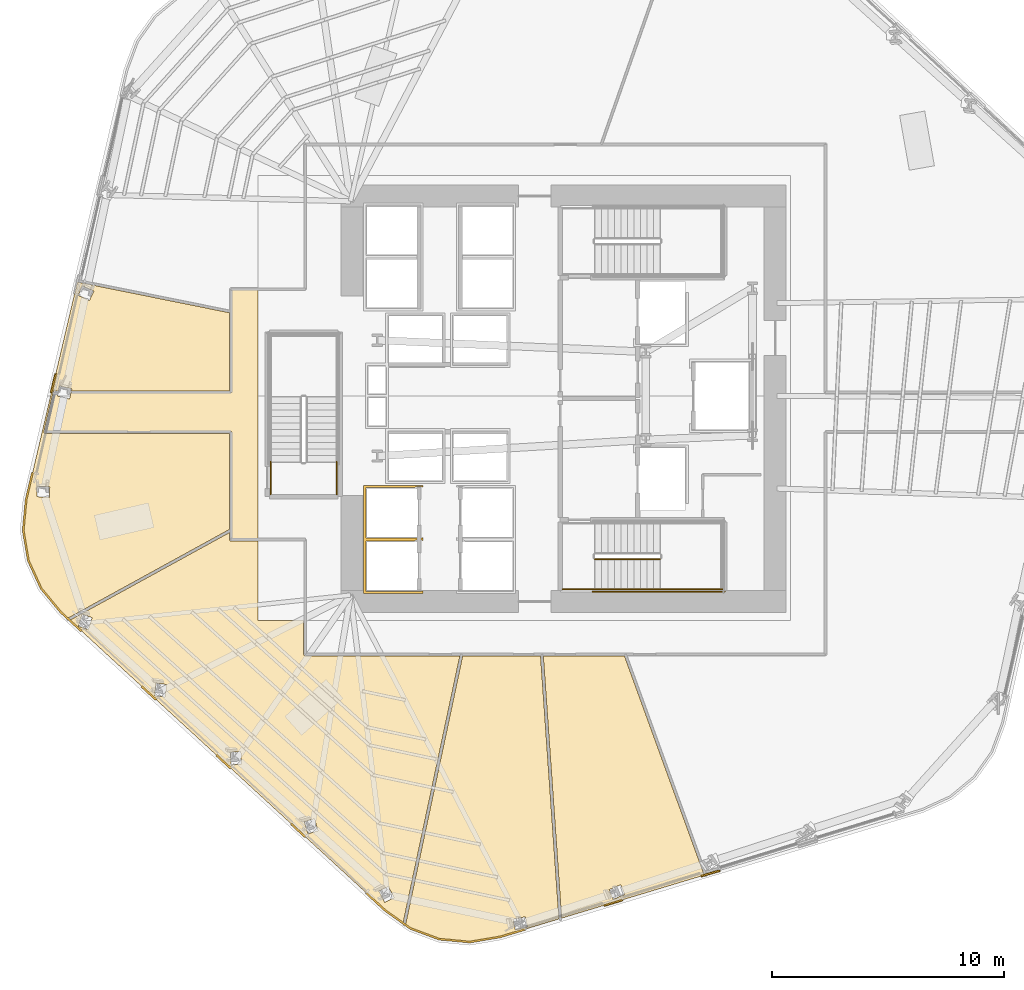
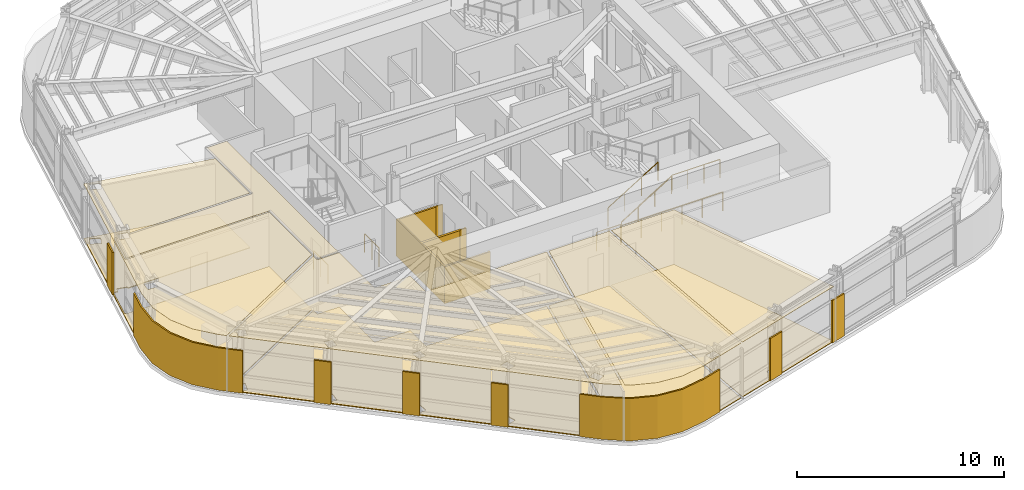
# One storey, part 11 of 16: 18 coverings, 7 railings.
"""IFC4 building model written with IfcOpenShell, lengths in metres."""

from ifc_helpers import new_model, si_unit, direction, frame, origin, origin_2d, place, context, subcontext, project, spatial, polyline, circle, outline, extrude, material, layer, layer_set, type_object, element, save


model = new_model("IFC4")

# Units and contexts
model_context = context("Model", 3, precision=1e-05, world=origin(), true_north=direction((0.0, 1.0)))
body_context = subcontext(model_context, "Body", "Model", "MODEL_VIEW")
ifc_project = project(units=[si_unit("LENGTHUNIT", "METRE"), si_unit("AREAUNIT", "SQUARE_METRE"), si_unit("VOLUMEUNIT", "CUBIC_METRE"), si_unit("PLANEANGLEUNIT", "RADIAN"), si_unit("MASSUNIT", "GRAM", prefix="KILO")], contexts=[model_context])

# Site, building, storey
site_placement = place(None, origin())
site = spatial("IfcSite", under=ifc_project, at=site_placement, CompositionType="ELEMENT")
building_placement = place(site_placement, origin())
building = spatial("IfcBuilding", under=site, at=building_placement, Name="Valkerne Bourse Tower", CompositionType="ELEMENT")
storey_placement = place(building_placement, frame((0.0, 0.0, 97.199951171875)))
storey = spatial("IfcBuildingStorey", under=building, at=storey_placement, Name="L24", CompositionType="ELEMENT", Elevation=97.199951171875)

# Coverings
ifc_material_1 = material(Name="Mineral Fiber Acoustic Ceiling Tile", Category="acoustic")
ifc_layer_1 = layer(ifc_material_1, 0.02490234375)
ifc_layer_set_1 = layer_set([ifc_layer_1], Name="Mineral Fiber Acoustic Ceiling Tile")
covering_type_1 = type_object("IfcCoveringType", Name="COV-CEIL-ACT", PredefinedType="CEILING", material=ifc_layer_set_1)
covering_1_placement = place(storey_placement, frame((0.0, 0.0, 3.22998046875)))
element("IfcCovering", 1, at=covering_1_placement, inside=storey, type_object=covering_type_1, Name="L24 Suspended Ceiling 03", PredefinedType="CEILING", context=body_context, shape_type="SweptSolid", body=[
    extrude(outline(polyline([(49.4208984375, 15.781005859375), (52.86669921875, 6.31396484375), (46.71240234375, 4.456298828125), (45.920654296875, 15.781005859375), (49.4208984375, 15.781005859375)]), holes=[polyline([(49.435302734375, 5.482666015625), (49.260498046875, 5.897216796875), (49.25732421875, 5.89697265625), (48.76318359375, 5.687255859375), (48.937744140625, 5.272705078125), (48.94091796875, 5.273193359375), (49.435302734375, 5.482666015625)])]), origin(), (0.0, 0.0, 1.0), 0.025146484375),
])
covering_2_placement = place(storey_placement, frame((0.0, 0.0, 3.22998046875)))
element("IfcCovering", 2, at=covering_2_placement, inside=storey, type_object=covering_type_1, Name="L24 Suspended Ceiling 04", PredefinedType="CEILING", context=body_context, shape_type="SweptSolid", body=[
    extrude(outline(polyline([(41.4306640625, 3.556640625), (40.194091796875, 4.0166015625), (39.974365234375, 4.172607421875), (42.44189453125, 15.781005859375), (45.80224609375, 15.781005859375), (46.5966796875, 4.42138671875), (44.055419921875, 3.654296875), (42.744384765625, 3.4326171875), (41.4306640625, 3.556640625)]), holes=[polyline([(45.23828125, 4.076416015625), (45.14501953125, 4.516357421875), (45.1416015625, 4.5166015625), (44.616943359375, 4.40380859375), (44.71044921875, 3.963623046875), (44.7138671875, 3.96337890625), (45.23828125, 4.076416015625)])]), origin(), (0.0, 0.0, 1.0), 0.025146484375),
])
covering_3_placement = place(storey_placement, frame((0.0, 0.0, 3.22998046875)))
element("IfcCovering", 3, at=covering_3_placement, inside=storey, type_object=covering_type_1, Name="L24 Suspended Ceiling 05", PredefinedType="CEILING", context=body_context, shape_type="SweptSolid", body=[
    extrude(outline(polyline([(23.701416015625, 19.893798828125), (23.481201171875, 21.195068359375), (23.606201171875, 22.517822265625), (25.810302734375, 31.912109375), (32.381103515625, 30.586181640625), (32.381103515625, 27.218994140625), (25.5576171875, 27.218994140625), (25.5771484375, 27.29931640625), (25.577392578125, 27.302490234375), (25.053466796875, 27.4287109375), (24.99365234375, 27.1826171875), (24.992919921875, 27.186767578125), (24.951416015625, 27.217041015625), (24.81689453125, 27.21728515625), (24.782958984375, 27.197998046875), (24.765869140625, 27.166259765625), (24.364990234375, 25.44921875), (24.37060546875, 25.42236328125), (24.38671875, 25.3994140625), (24.43310546875, 25.381103515625), (32.381103515625, 25.381103515625), (32.381103515625, 21.2373046875), (25.392578125, 17.399169921875), (25.09765625, 17.67041015625), (24.25048828125, 18.694091796875), (23.701416015625, 19.893798828125)]), holes=[polyline([(24.621337890625, 23.07373046875), (24.0830078125, 23.099365234375), (24.060791015625, 22.65185546875), (24.0615234375, 22.648681640625), (24.599609375, 22.622802734375), (24.621826171875, 23.0703125), (24.621337890625, 23.07373046875)]), polyline([(26.522705078125, 31.51708984375), (26.5234375, 31.520263671875), (26.036376953125, 31.75048828125), (25.843994140625, 31.345458984375), (25.843505859375, 31.34228515625), (26.33056640625, 31.1123046875), (26.522705078125, 31.51708984375)])]), origin(), (0.0, 0.0, 1.0), 0.025146484375),
])
covering_4_placement = place(storey_placement, frame((0.0, 0.0, 3.22998046875)))
element("IfcCovering", 4, at=covering_4_placement, inside=storey, type_object=covering_type_1, Name="L24 Suspended Ceiling 06", PredefinedType="CEILING", context=body_context, shape_type="SweptSolid", body=[
    extrude(outline(polyline([(32.381103515625, 21.1025390625), (32.3818359375, 20.7890625), (32.403076171875, 20.7490234375), (32.440185546875, 20.731689453125), (33.60009765625, 20.7314453125), (33.60009765625, 17.300048828125), (35.5810546875, 17.300048828125), (35.5810546875, 15.849609375), (35.59033203125, 15.81494140625), (35.614990234375, 15.790283203125), (35.6494140625, 15.781005859375), (42.3212890625, 15.781005859375), (39.86962890625, 4.247314453125), (39.1103515625, 4.78662109375), (25.484130859375, 17.31494140625), (32.381103515625, 21.1025390625)]), holes=[polyline([(36.0458984375, 8.7421875), (36.043212890625, 8.743896484375), (35.612548828125, 8.6162109375), (35.763427734375, 8.099853515625), (35.76611328125, 8.098388671875), (36.19677734375, 8.22607421875), (36.0458984375, 8.7421875)]), polyline([(32.857666015625, 11.64697265625), (32.85546875, 11.64892578125), (32.40771484375, 11.611572265625), (32.45068359375, 11.075439453125), (32.452880859375, 11.073486328125), (32.900390625, 11.11083984375), (32.857666015625, 11.64697265625)]), polyline([(29.6611328125, 14.539794921875), (29.6591796875, 14.542236328125), (29.21337890625, 14.5966796875), (29.146240234375, 14.06298828125), (29.14794921875, 14.060546875), (29.593994140625, 14.006103515625), (29.6611328125, 14.539794921875)]), polyline([(26.450927734375, 17.427001953125), (26.44970703125, 17.43017578125), (26.02197265625, 17.567138671875), (25.85546875, 17.05615234375), (25.85693359375, 17.052978515625), (26.284423828125, 16.916015625), (26.450927734375, 17.427001953125)]), polyline([(39.2333984375, 5.82275390625), (39.23046875, 5.823974609375), (38.83154296875, 5.617431640625), (39.07666015625, 5.138916015625), (39.07958984375, 5.1376953125), (39.478515625, 5.34423828125), (39.2333984375, 5.82275390625)])]), origin(), (0.0, 0.0, 1.0), 0.025146484375),
])
ifc_material_2 = material(Name="Bronze Anodised Aluminium AA 6063-T6", Category="aluminium")
ifc_layer_2 = layer(ifc_material_2, 0.030029296875)
ifc_layer_set_2 = layer_set([ifc_layer_2], Name="Bronze Anodised Aluminium AA 6063-T6")
covering_type_2 = type_object("IfcCoveringType", Name="COV-CEIL-METAL", PredefinedType="CEILING", material=ifc_layer_set_2)
covering_5_placement = place(storey_placement, frame((0.0, 0.0, 3.22998046875)))
element("IfcCovering", 5, at=covering_5_placement, inside=storey, type_object=covering_type_2, Name="L24 Suspended Ceiling 02", PredefinedType="CEILING", context=body_context, shape_type="SweptSolid", body=[
    extrude(outline(polyline([(32.4541015625, 20.803955078125), (32.4541015625, 25.4541015625), (24.43896484375, 25.4541015625), (24.8359375, 27.14599609375), (24.984619140625, 27.14599609375), (24.947509765625, 26.9931640625), (24.947509765625, 26.989990234375), (25.47119140625, 26.86376953125), (25.539794921875, 27.14599609375), (32.4541015625, 27.14599609375), (32.4541015625, 31.595947265625), (33.60009765625, 31.595947265625), (33.60009765625, 20.803955078125), (32.4541015625, 20.803955078125)])), origin(), (0.0, 0.0, 1.0), 0.025146484375),
])
ifc_layer_3 = layer(ifc_material_2, 0.06005859375)
ifc_layer_set_3 = layer_set([ifc_layer_3], Name="Bronze Anodised Aluminium AA 6063-T6")
covering_type_3 = type_object("IfcCoveringType", Name="COV-CRN-ALUM", PredefinedType="CLADDING", material=ifc_layer_set_3)
covering_6_placement = place(storey_placement, origin())
element("IfcCovering", 6, at=covering_6_placement, inside=storey, type_object=covering_type_3, Name="L24 Wind-Shaped Corner Aluminium Cladding 03", PredefinedType="CLADDING", context=body_context, shape_type="SweptSolid", body=[
    extrude(outline(polyline([(52.74951171875, 6.232421875), (52.725830078125, 6.30908203125), (53.530029296875, 6.5517578125), (53.5537109375, 6.475341796875), (52.74951171875, 6.232421875)])), origin(), (0.0, 0.0, 1.0), 2.5),
])
covering_7_placement = place(storey_placement, origin())
element("IfcCovering", 7, at=covering_7_placement, inside=storey, type_object=covering_type_3, Name="L24 Wind-Shaped Corner Aluminium Cladding 04", PredefinedType="CLADDING", context=body_context, shape_type="SweptSolid", body=[
    extrude(outline(polyline([(48.553466796875, 4.9658203125), (48.52978515625, 5.04248046875), (49.333984375, 5.28515625), (49.357666015625, 5.208740234375), (48.553466796875, 4.9658203125)])), origin(), (0.0, 0.0, 1.0), 2.5),
])
covering_8_placement = place(storey_placement, origin())
element("IfcCovering", 8, at=covering_8_placement, inside=storey, type_object=covering_type_3, Name="L24 Wind-Shaped Corner Aluminium Cladding 05", PredefinedType="CLADDING", context=body_context, shape_type="SweptSolid", body=[
    extrude(outline(polyline([(44.065185546875, 3.611328125), (42.74609375, 3.38818359375), (41.4208984375, 3.513427734375), (40.173095703125, 3.977294921875), (39.08251953125, 4.75244140625), (38.23974609375, 5.52734375), (38.294189453125, 5.5859375), (39.133056640625, 4.814697265625), (40.2109375, 4.048828125), (41.438720703125, 3.592041015625), (42.7431640625, 3.46875), (44.047119140625, 3.689208984375), (45.137939453125, 4.0185546875), (45.16162109375, 3.942138671875), (44.065185546875, 3.611328125)])), origin(), (0.0, 0.0, 1.0), 2.5),
])
covering_9_placement = place(storey_placement, origin())
element("IfcCovering", 9, at=covering_9_placement, inside=storey, type_object=covering_type_3, Name="L24 Wind-Shaped Corner Aluminium Cladding 06", PredefinedType="CLADDING", context=body_context, shape_type="SweptSolid", body=[
    extrude(outline(polyline([(35.01318359375, 8.493896484375), (35.067626953125, 8.552490234375), (35.68603515625, 7.984130859375), (35.631591796875, 7.92529296875), (35.01318359375, 8.493896484375)])), origin(), (0.0, 0.0, 1.0), 2.5),
])
covering_10_placement = place(storey_placement, origin())
element("IfcCovering", 10, at=covering_10_placement, inside=storey, type_object=covering_type_3, Name="L24 Wind-Shaped Corner Aluminium Cladding 07", PredefinedType="CLADDING", context=body_context, shape_type="SweptSolid", body=[
    extrude(outline(polyline([(31.78662109375, 11.460693359375), (31.841064453125, 11.519287109375), (32.45947265625, 10.95068359375), (32.40478515625, 10.89208984375), (31.78662109375, 11.460693359375)])), origin(), (0.0, 0.0, 1.0), 2.5),
])
covering_11_placement = place(storey_placement, origin())
element("IfcCovering", 11, at=covering_11_placement, inside=storey, type_object=covering_type_3, Name="L24 Wind-Shaped Corner Aluminium Cladding 08", PredefinedType="CLADDING", context=body_context, shape_type="SweptSolid", body=[
    extrude(outline(polyline([(28.56005859375, 14.427001953125), (28.614501953125, 14.485595703125), (29.23291015625, 13.917236328125), (29.178466796875, 13.858642578125), (28.56005859375, 14.427001953125)])), origin(), (0.0, 0.0, 1.0), 2.5),
])
covering_12_placement = place(storey_placement, origin())
element("IfcCovering", 12, at=covering_12_placement, inside=storey, type_object=covering_type_3, Name="L24 Wind-Shaped Corner Aluminium Cladding 09", PredefinedType="CLADDING", context=body_context, shape_type="SweptSolid", body=[
    extrude(outline(polyline([(25.065673828125, 17.639892578125), (24.212890625, 18.670654296875), (23.658935546875, 19.880859375), (23.43701171875, 21.193359375), (23.562744140625, 22.52490234375), (23.837890625, 23.697021484375), (23.915771484375, 23.67919921875), (23.641845703125, 22.511962890625), (23.517578125, 21.1962890625), (23.736083984375, 19.904541015625), (24.281494140625, 18.71337890625), (25.123779296875, 17.6953125), (26.00634765625, 16.8837890625), (25.951904296875, 16.8251953125), (25.065673828125, 17.639892578125)])), origin(), (0.0, 0.0, 1.0), 2.5),
])
covering_13_placement = place(storey_placement, origin())
element("IfcCovering", 13, at=covering_13_placement, inside=storey, type_object=covering_type_3, Name="L24 Wind-Shaped Corner Aluminium Cladding 10", PredefinedType="CLADDING", context=body_context, shape_type="SweptSolid", body=[
    extrude(outline(polyline([(24.839111328125, 27.964111328125), (24.9169921875, 27.9462890625), (24.72509765625, 27.12841796875), (24.647216796875, 27.146484375), (24.839111328125, 27.964111328125)])), origin(), (0.0, 0.0, 1.0), 2.5),
])
ifc_material_3 = material(Name="Galvanised Painted Steel", Category="steel")
ifc_layer_4 = layer(ifc_material_3, 0.044921875)
ifc_layer_set_4 = layer_set([ifc_layer_4], Name="Galvanised Painted Steel")
covering_type_4 = type_object("IfcCoveringType", Name="COV-FLR-RAF", PredefinedType="FLOORING", material=ifc_layer_set_4)
covering_14_placement = place(storey_placement, origin())
element("IfcCovering", 14, at=covering_14_placement, inside=storey, type_object=covering_type_4, Name="L24 Floor Finish 05", PredefinedType="FLOORING", context=body_context, shape_type="SweptSolid", body=[
    extrude(outline(polyline([(23.701416015625, 19.893798828125), (23.481201171875, 21.195068359375), (23.606201171875, 22.517822265625), (25.810302734375, 31.912109375), (32.381103515625, 30.586181640625), (32.381103515625, 27.218994140625), (25.5576171875, 27.218994140625), (25.5771484375, 27.29931640625), (25.577392578125, 27.302490234375), (25.053466796875, 27.4287109375), (24.99365234375, 27.1826171875), (24.992919921875, 27.186767578125), (24.951416015625, 27.217041015625), (24.81689453125, 27.21728515625), (24.782958984375, 27.197998046875), (24.765869140625, 27.166259765625), (24.364990234375, 25.44921875), (24.37060546875, 25.42236328125), (24.38671875, 25.3994140625), (24.43310546875, 25.381103515625), (32.381103515625, 25.381103515625), (32.381103515625, 21.2373046875), (25.392578125, 17.399169921875), (25.09765625, 17.67041015625), (24.25048828125, 18.694091796875), (23.701416015625, 19.893798828125)]), holes=[polyline([(24.621337890625, 23.07373046875), (24.0830078125, 23.099365234375), (24.060791015625, 22.65185546875), (24.0615234375, 22.648681640625), (24.599609375, 22.622802734375), (24.621826171875, 23.0703125), (24.621337890625, 23.07373046875)]), polyline([(26.522705078125, 31.51708984375), (26.5234375, 31.520263671875), (26.036376953125, 31.75048828125), (25.843994140625, 31.345458984375), (25.843505859375, 31.34228515625), (26.33056640625, 31.1123046875), (26.522705078125, 31.51708984375)])]), origin(), (0.0, 0.0, 1.0), 0.045166015625),
])
covering_15_placement = place(storey_placement, origin())
element("IfcCovering", 15, at=covering_15_placement, inside=storey, type_object=covering_type_4, Name="L24 Floor Finish 06", PredefinedType="FLOORING", context=body_context, shape_type="SweptSolid", body=[
    extrude(outline(polyline([(32.381103515625, 21.1025390625), (32.3818359375, 20.7890625), (32.403076171875, 20.7490234375), (32.440185546875, 20.731689453125), (33.60009765625, 20.7314453125), (33.60009765625, 17.300048828125), (35.5810546875, 17.300048828125), (35.5810546875, 15.849609375), (35.59033203125, 15.81494140625), (35.614990234375, 15.790283203125), (35.6494140625, 15.781005859375), (42.3212890625, 15.781005859375), (39.86962890625, 4.247314453125), (39.1103515625, 4.78662109375), (25.484130859375, 17.31494140625), (32.381103515625, 21.1025390625)]), holes=[polyline([(36.0458984375, 8.7421875), (36.043212890625, 8.743896484375), (35.612548828125, 8.6162109375), (35.763427734375, 8.099853515625), (35.76611328125, 8.098388671875), (36.19677734375, 8.22607421875), (36.0458984375, 8.7421875)]), polyline([(32.857666015625, 11.64697265625), (32.85546875, 11.64892578125), (32.40771484375, 11.611572265625), (32.45068359375, 11.075439453125), (32.452880859375, 11.073486328125), (32.900390625, 11.11083984375), (32.857666015625, 11.64697265625)]), polyline([(29.6611328125, 14.539794921875), (29.6591796875, 14.542236328125), (29.21337890625, 14.5966796875), (29.146240234375, 14.06298828125), (29.14794921875, 14.060546875), (29.593994140625, 14.006103515625), (29.6611328125, 14.539794921875)]), polyline([(26.450927734375, 17.427001953125), (26.44970703125, 17.43017578125), (26.02197265625, 17.567138671875), (25.85546875, 17.05615234375), (25.85693359375, 17.052978515625), (26.284423828125, 16.916015625), (26.450927734375, 17.427001953125)]), polyline([(39.2333984375, 5.82275390625), (39.23046875, 5.823974609375), (38.83154296875, 5.617431640625), (39.07666015625, 5.138916015625), (39.07958984375, 5.1376953125), (39.478515625, 5.34423828125), (39.2333984375, 5.82275390625)])]), origin(), (0.0, 0.0, 1.0), 0.045166015625),
])
ifc_material_4 = material(Name="Polished Granite Stone", Category="masonry")
ifc_layer_5 = layer(ifc_material_4, 0.030029296875)
ifc_layer_set_5 = layer_set([ifc_layer_5], Name="Polished Granite Stone")
covering_type_5 = type_object("IfcCoveringType", Name="COV-FLR-TERRAZZO", PredefinedType="FLOORING", material=ifc_layer_set_5)
covering_16_placement = place(storey_placement, origin())
element("IfcCovering", 16, at=covering_16_placement, inside=storey, type_object=covering_type_5, Name="L24 Floor Finish 03", PredefinedType="FLOORING", context=body_context, shape_type="SweptSolid", body=[
    extrude(outline(polyline([(49.4208984375, 15.781005859375), (52.86669921875, 6.31396484375), (46.71240234375, 4.456298828125), (45.920654296875, 15.781005859375), (49.4208984375, 15.781005859375)]), holes=[polyline([(49.435302734375, 5.482666015625), (49.260498046875, 5.897216796875), (49.25732421875, 5.89697265625), (48.76318359375, 5.687255859375), (48.937744140625, 5.272705078125), (48.94091796875, 5.273193359375), (49.435302734375, 5.482666015625)])]), origin(), (0.0, 0.0, 1.0), 0.030029296875),
])
covering_17_placement = place(storey_placement, origin())
element("IfcCovering", 17, at=covering_17_placement, inside=storey, type_object=covering_type_5, Name="L24 Floor Finish 04", PredefinedType="FLOORING", context=body_context, shape_type="SweptSolid", body=[
    extrude(outline(polyline([(41.4306640625, 3.556640625), (40.194091796875, 4.0166015625), (39.974365234375, 4.172607421875), (42.44189453125, 15.781005859375), (45.80224609375, 15.781005859375), (46.5966796875, 4.42138671875), (44.055419921875, 3.654296875), (42.744384765625, 3.4326171875), (41.4306640625, 3.556640625)]), holes=[polyline([(45.23828125, 4.076416015625), (45.14501953125, 4.516357421875), (45.1416015625, 4.5166015625), (44.616943359375, 4.40380859375), (44.71044921875, 3.963623046875), (44.7138671875, 3.96337890625), (45.23828125, 4.076416015625)])]), origin(), (0.0, 0.0, 1.0), 0.030029296875),
])
ifc_material_5 = material(Name="Gypsum Shaftwall Liner Board", Category="gypsum")
ifc_layer_6 = layer(ifc_material_5, 0.080078125)
ifc_layer_set_6 = layer_set([ifc_layer_6], Name="Gypsum Shaftwall Liner Board")
covering_type_6 = type_object("IfcCoveringType", Name="COV-SHF-CLAD", PredefinedType="CLADDING", material=ifc_layer_set_6)
covering_18_placement = place(storey_placement, origin())
element("IfcCovering", 18, at=covering_18_placement, inside=storey, type_object=covering_type_6, Name="L24 Hoistway & Riser Shaftwall Liner 01", PredefinedType="CLADDING", context=body_context, shape_type="SweptSolid", body=[
    extrude(outline(polyline([(38.169921875, 23.1298828125), (40.72998046875, 23.1298828125), (40.72998046875, 23.052001953125), (40.72216796875, 23.0556640625), (40.6806640625, 23.070556640625), (40.6376953125, 23.081298828125), (40.593994140625, 23.087890625), (40.550048828125, 23.090087890625), (40.505859375, 23.087890625), (40.462158203125, 23.081298828125), (40.41943359375, 23.070556640625), (40.377685546875, 23.0556640625), (40.344482421875, 23.0400390625), (38.260009765625, 23.0400390625), (38.260009765625, 20.860107421875), (40.456787109375, 20.860107421875), (40.462158203125, 20.858642578125), (40.505859375, 20.852294921875), (40.550048828125, 20.85009765625), (40.593994140625, 20.852294921875), (40.6376953125, 20.858642578125), (40.6806640625, 20.869384765625), (40.72216796875, 20.88427734375), (40.72998046875, 20.887939453125), (40.72998046875, 20.830078125), (40.72998046875, 20.77001953125), (40.72998046875, 20.752197265625), (40.72216796875, 20.755615234375), (40.6806640625, 20.7705078125), (40.6376953125, 20.781494140625), (40.593994140625, 20.787841796875), (40.550048828125, 20.7900390625), (40.505859375, 20.787841796875), (40.462158203125, 20.781494140625), (40.41943359375, 20.7705078125), (40.377685546875, 20.755615234375), (40.344482421875, 20.739990234375), (38.260009765625, 20.739990234375), (38.260009765625, 18.56005859375), (40.456787109375, 18.56005859375), (40.462158203125, 18.55859375), (40.505859375, 18.55224609375), (40.550048828125, 18.550048828125), (40.593994140625, 18.55224609375), (40.6376953125, 18.55859375), (40.6806640625, 18.5693359375), (40.72216796875, 18.584228515625), (40.72998046875, 18.587890625), (40.72998046875, 18.469970703125), (38.169921875, 18.469970703125), (38.169921875, 20.77001953125), (38.169921875, 20.830078125), (38.169921875, 23.1298828125)])), origin(), (0.0, 0.0, 1.0), 2.179931640625),
])

# Railings
railing_type_1 = type_object("IfcRailingType", Name="RLG-ST-GUARD-1120", PredefinedType="GUARDRAIL", material=ifc_material_3)
railing_1_placement = place(storey_placement, frame((48.14990234375, 19.949951171875, 0.1728515625)))
element("IfcRailing", 19, at=railing_1_placement, inside=storey, type_object=railing_type_1, Name="L24 ST-1 stair guard 1", PredefinedType="GUARDRAIL", context=body_context, shape_type="SweptSolid", body=[
    extrude(circle(Radius=0.02392578125, at=origin_2d()), frame((0.0, 0.0, 1.09619140625), z_axis=(0.851089632645, 0.0, 0.525020415988), x_axis=(0.0, 1.0, 0.0)), (0.0, 0.0, 1.0), 3.2900390625),
    extrude(circle(Radius=0.02099609375, at=origin_2d()), origin(), (0.0, 0.0, 1.0), 1.072021484375),
    extrude(circle(Radius=0.02099609375, at=origin_2d()), frame((0.933349609375, 0.0, 0.57568359375)), (0.0, 0.0, 1.0), 1.072021484375),
    extrude(circle(Radius=0.02099609375, at=origin_2d()), frame((1.86669921875, 0.0, 1.151611328125)), (0.0, 0.0, 1.0), 1.072021484375),
    extrude(circle(Radius=0.02099609375, at=origin_2d()), frame((2.800048828125, 0.0, 1.727294921875)), (0.0, 0.0, 1.0), 1.072021484375),
])
railing_2_placement = place(storey_placement, frame((50.949951171875, 18.64990234375, 1.900146484375)))
element("IfcRailing", 20, at=railing_2_placement, inside=storey, type_object=railing_type_1, Name="L24 ST-1 stair guard 3", PredefinedType="GUARDRAIL", context=body_context, shape_type="SweptSolid", body=[
    extrude(circle(Radius=0.02392578125, at=origin_2d()), frame((0.0, 0.0, 1.09619140625), z_axis=(1.0, 0.0, 0.0), x_axis=(0.0, 1.0, 0.0)), (0.0, 0.0, 1.0), 2.699951171875),
    extrude(circle(Radius=0.02099609375, at=origin_2d()), origin(), (0.0, 0.0, 1.0), 1.072021484375),
    extrude(circle(Radius=0.02099609375, at=origin_2d()), frame((0.89990234375, 0.0, 0.0)), (0.0, 0.0, 1.0), 1.072021484375),
    extrude(circle(Radius=0.02099609375, at=origin_2d()), frame((1.800048828125, 0.0, 0.0)), (0.0, 0.0, 1.0), 1.072021484375),
    extrude(circle(Radius=0.02099609375, at=origin_2d()), frame((2.699951171875, 0.0, 0.0)), (0.0, 0.0, 1.0), 1.072021484375),
])
railing_3_placement = place(storey_placement, frame((46.75, 18.64990234375, 0.0)))
element("IfcRailing", 21, at=railing_3_placement, inside=storey, type_object=railing_type_1, Name="L24 ST-1 stair guard 8", PredefinedType="GUARDRAIL", context=body_context, shape_type="SweptSolid", body=[
    extrude(circle(Radius=0.02392578125, at=origin_2d()), frame((0.0, 0.0, 1.09619140625), z_axis=(1.0, 0.0, 0.0), x_axis=(0.0, 1.0, 0.0)), (0.0, 0.0, 1.0), 1.39990234375),
    extrude(circle(Radius=0.02099609375, at=origin_2d()), origin(), (0.0, 0.0, 1.0), 1.072021484375),
    extrude(circle(Radius=0.02099609375, at=origin_2d()), frame((0.699951171875, 0.0, 0.0)), (0.0, 0.0, 1.0), 1.072021484375),
    extrude(circle(Radius=0.02099609375, at=origin_2d()), frame((1.39990234375, 0.0, 0.0)), (0.0, 0.0, 1.0), 1.072021484375),
])
railing_4_placement = place(storey_placement, frame((48.050048828125, 18.550048828125, 0.0)))
element("IfcRailing", 22, at=railing_4_placement, inside=storey, type_object=railing_type_1, Name="L24 ST-1 stair guard 10", PredefinedType="GUARDRAIL", context=body_context, shape_type="SweptSolid", body=[
    extrude(circle(Radius=0.02392578125, at=origin_2d()), frame((0.0, 0.0, 1.09619140625), z_axis=(1.0, 0.0, 0.0), x_axis=(0.0, 1.0, 0.0)), (0.0, 0.0, 1.0), 5.699951171875),
    extrude(circle(Radius=0.02099609375, at=origin_2d()), origin(), (0.0, 0.0, 1.0), 1.072021484375),
    extrude(circle(Radius=0.02099609375, at=origin_2d()), frame((1.139892578125, 0.0, 0.0)), (0.0, 0.0, 1.0), 1.072021484375),
    extrude(circle(Radius=0.02099609375, at=origin_2d()), frame((2.280029296875, 0.0, 0.0)), (0.0, 0.0, 1.0), 1.072021484375),
    extrude(circle(Radius=0.02099609375, at=origin_2d()), frame((3.419921875, 0.0, 0.0)), (0.0, 0.0, 1.0), 1.072021484375),
    extrude(circle(Radius=0.02099609375, at=origin_2d()), frame((4.56005859375, 0.0, 0.0)), (0.0, 0.0, 1.0), 1.072021484375),
    extrude(circle(Radius=0.02099609375, at=origin_2d()), frame((5.699951171875, 0.0, 0.0)), (0.0, 0.0, 1.0), 1.072021484375),
])
for number, where, name in (
    (23, (37.0, 22.75, 0.0), "L24 ST-3 stair guard 8"),
    (24, (34.14990234375, 22.75, 0.0), "L24 ST-3 stair guard 9"),
):
    element("IfcRailing", number, at=place(storey_placement, frame(where)), inside=storey, type_object=railing_type_1, Name=name, PredefinedType="GUARDRAIL", context=body_context, shape_type="SweptSolid", body=[
        extrude(circle(Radius=0.02392578125, at=origin_2d()), frame((0.0, 0.0, 1.09619140625), z_axis=(0.0, 1.0, 0.0), x_axis=(-1.0, 0.0, 0.0)), (0.0, 0.0, 1.0), 1.39990234375),
        extrude(circle(Radius=0.02099609375, at=origin_2d()), origin(), (0.0, 0.0, 1.0), 1.072021484375),
        extrude(circle(Radius=0.02099609375, at=origin_2d()), frame((0.0, 0.699951171875, 0.0)), (0.0, 0.0, 1.0), 1.072021484375),
        extrude(circle(Radius=0.02099609375, at=origin_2d()), frame((0.0, 1.39990234375, 0.0)), (0.0, 0.0, 1.0), 1.072021484375),
    ])
ifc_material_6 = material(Name="Stainless Steel AISI 316", Category="steel")
railing_type_2 = type_object("IfcRailingType", Name="RLG-ST-HANDRAIL-900", PredefinedType="HANDRAIL", material=ifc_material_6)
railing_5_placement = place(storey_placement, frame((48.14990234375, 18.64990234375, 0.345458984375)))
element("IfcRailing", 25, at=railing_5_placement, inside=storey, type_object=railing_type_2, Name="L24 ST-1 stair handrail 1", PredefinedType="HANDRAIL", context=body_context, shape_type="SweptSolid", body=[
    extrude(circle(Radius=0.02392578125, at=origin_2d()), frame((0.0, 0.0, 0.8759765625), z_axis=(0.851089632645, 0.0, 0.525020415988), x_axis=(0.0, 1.0, 0.0)), (0.0, 0.0, 1.0), 3.2900390625),
    extrude(circle(Radius=0.02099609375, at=origin_2d()), origin(), (0.0, 0.0, 1.0), 0.851806640625),
    extrude(circle(Radius=0.02099609375, at=origin_2d()), frame((0.933349609375, 0.0, 0.57568359375)), (0.0, 0.0, 1.0), 0.851806640625),
    extrude(circle(Radius=0.02099609375, at=origin_2d()), frame((1.86669921875, 0.0, 1.151611328125)), (0.0, 0.0, 1.0), 0.851806640625),
    extrude(circle(Radius=0.02099609375, at=origin_2d()), frame((2.800048828125, 0.0, 1.727294921875)), (0.0, 0.0, 1.0), 0.851806640625),
])

save(model, "model.ifc")
